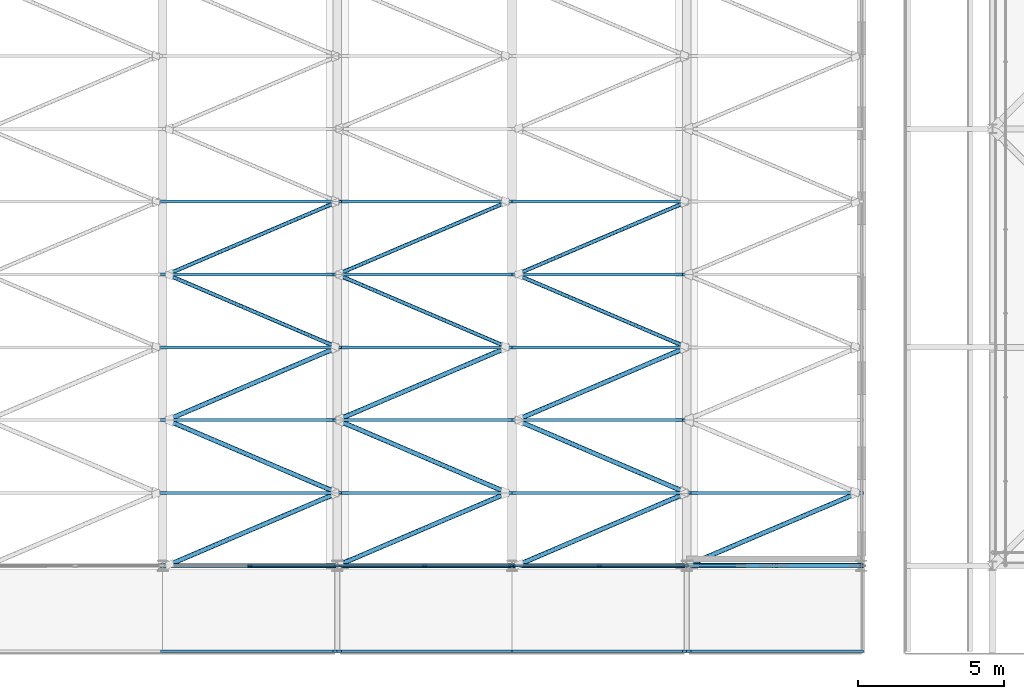
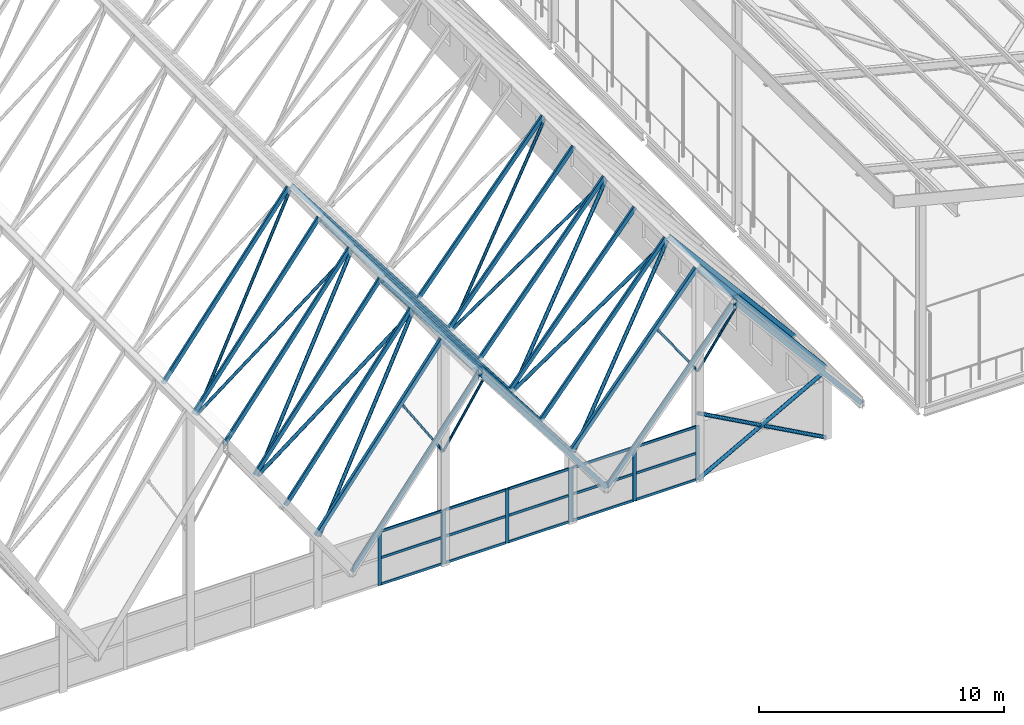
# One storey, part 25 of 483: 62 members, 8 beams, 3 elements without a shape of their own.
"""IFC4 building model written with IfcOpenShell, lengths in metres."""

from ifc_helpers import new_model, si_unit, direction, frame, origin, origin_2d, place, context, subcontext, project, spatial, rectangle, hollow_rectangle, hollow_circle, extrude, material, material_profile, profile_set, type_object, element, aggregate, save


model = new_model("IFC4")

# Units and contexts
model_context = context("Model", 3, precision=1e-05, world=origin(), true_north=direction((0.0, 1.0)))
body_context = subcontext(model_context, "Body", "Model", "MODEL_VIEW")
ifc_project = project(units=[si_unit("LENGTHUNIT", "METRE"), si_unit("AREAUNIT", "SQUARE_METRE"), si_unit("VOLUMEUNIT", "CUBIC_METRE"), si_unit("PLANEANGLEUNIT", "RADIAN"), si_unit("MASSUNIT", "GRAM", prefix="KILO")], contexts=[model_context])

# Site, building, storey
site_placement = place(None, origin())
site = spatial("IfcSite", under=ifc_project, at=site_placement, CompositionType="ELEMENT")
building_placement = place(site_placement, origin())
building = spatial("IfcBuilding", under=site, at=building_placement, Name="Parallax Yard Mobility Hub", CompositionType="ELEMENT")
storey_placement = place(building_placement, frame((0.0, 0.0, 13.199951171875)))
storey = spatial("IfcBuildingStorey", under=building, at=storey_placement, Name="L04", CompositionType="ELEMENT", Elevation=13.199951171875)

# Members
ifc_material_1 = material(Name="Steel ASTM A500 Gr C", Category="steel")
ifc_material_profile_1 = material_profile(ifc_material_1, hollow_circle(Radius=0.05712890625, WallThickness=0.006103515625, at=origin_2d()), Name="HSS114.3x6.0")
ifc_profile_set_1 = profile_set([ifc_material_profile_1], Name="Steel ASTM A500 Gr C")
member_type_1 = type_object("IfcMemberType", Name="Knee brace HSS114.3x6.0", PredefinedType="BRACE", material=ifc_profile_set_1)
for number, where, z_axis, x_axis, name in (
    (1, (75.0, 7.5, 5.60009765625), (-0.54067085938, 0.0, 0.841234225301), (0.0, -1.0, 0.0), "Gable knee brace F12 south west"),
    (2, (75.0, 7.5, 5.60009765625), (0.54067085938, 0.0, 0.841234225301), (0.0, 1.0, 0.0), "Gable knee brace F12 south east"),
):
    element("IfcMember", number, at=place(storey_placement, frame(where, z_axis=z_axis, x_axis=x_axis)), inside=storey, type_object=member_type_1, Name=name, PredefinedType="BRACE", context=body_context, shape_type="SweptSolid", body=[
        extrude(hollow_circle(Radius=0.05712890625, WallThickness=0.006103515625, at=origin_2d()), origin(), (0.0, 0.0, 1.0), 3.69921875),
    ])
for number, where, z_axis, x_axis, name in (
    (3, (87.0, 7.5, 5.400146484375), (-0.572308351996, 0.0, 0.820038505337), (0.0, -1.0, 0.0), "Gable knee brace F14 south west"),
    (4, (87.0, 7.5, 5.400146484375), (0.572308351996, 0.0, 0.820038505337), (0.0, 1.0, 0.0), "Gable knee brace F14 south east"),
):
    element("IfcMember", number, at=place(storey_placement, frame(where, z_axis=z_axis, x_axis=x_axis)), inside=storey, type_object=member_type_1, Name=name, PredefinedType="BRACE", context=body_context, shape_type="SweptSolid", body=[
        extrude(hollow_circle(Radius=0.05712890625, WallThickness=0.006103515625, at=origin_2d()), origin(), (0.0, 0.0, 1.0), 3.49462890625),
    ])

# Curtain wall, members
ifc_material_2 = material(Name="Thermally broken aluminium curtain wall system", Category="aluminium")
curtain_wall_type = type_object("IfcCurtainWallType", Name="Curtain wall run 60 x 160 frame", PredefinedType="NOTDEFINED", material=ifc_material_2)
curtain_wall_1_placement = place(storey_placement, origin())
curtain_wall_1 = element("IfcCurtainWall", 5, at=curtain_wall_1_placement, inside=storey, type_object=curtain_wall_type, Name="Glazed gable end Bus and taxi deck south gable bay 11 level L04", PredefinedType="NOTDEFINED")
ifc_material_3 = material(Name="Extruded aluminium", Category="aluminium")
ifc_material_profile_2 = material_profile(ifc_material_3, rectangle(XDim=0.06005859375, YDim=0.159912109375, at=origin_2d()), Name="Mullion 60 x 160")
ifc_profile_set_2 = profile_set([ifc_material_profile_2], Name="Extruded aluminium")
member_type_2 = type_object("IfcMemberType", Name="Mullion 60 x 160", PredefinedType="MULLION", material=ifc_profile_set_2)
member_1_placement = place(storey_placement, frame((72.0, 7.5, 0.0), z_axis=(0.0, 0.0, 1.0), x_axis=(0.0, 1.0, 0.0)))
member_1 = element("IfcMember", 6, at=member_1_placement, type_object=member_type_2, Name="CW1 mullion 2", PredefinedType="MULLION", context=body_context, shape_type="SweptSolid", body=[
    extrude(rectangle(XDim=0.06005859375, YDim=0.159912109375, at=origin_2d()), origin(), (0.0, 0.0, 1.0), 2.68994140625),
])
member_2_placement = place(storey_placement, frame((74.969970703125, 7.5, 0.0), z_axis=(0.0, 0.0, 1.0), x_axis=(0.0, 1.0, 0.0)))
member_2 = element("IfcMember", 7, at=member_2_placement, type_object=member_type_2, Name="CW1 mullion 3", PredefinedType="MULLION", context=body_context, shape_type="SweptSolid", body=[
    extrude(rectangle(XDim=0.06005859375, YDim=0.159912109375, at=origin_2d()), origin(), (0.0, 0.0, 1.0), 2.68994140625),
])

curtain_wall_2_placement = place(storey_placement, origin())
curtain_wall_2 = element("IfcCurtainWall", 8, at=curtain_wall_2_placement, inside=storey, type_object=curtain_wall_type, Name="Glazed gable end Bus and taxi deck south gable bay 12 level L04", PredefinedType="NOTDEFINED")
member_3_placement = place(storey_placement, frame((75.030029296875, 7.5, 0.0), z_axis=(0.0, 0.0, 1.0), x_axis=(0.0, 1.0, 0.0)))
member_3 = element("IfcMember", 9, at=member_3_placement, type_object=member_type_2, Name="CW1 mullion 1", PredefinedType="MULLION", context=body_context, shape_type="SweptSolid", body=[
    extrude(rectangle(XDim=0.06005859375, YDim=0.159912109375, at=origin_2d()), origin(), (0.0, 0.0, 1.0), 2.68994140625),
])
member_4_placement = place(storey_placement, frame((78.0, 7.5, 0.0), z_axis=(0.0, 0.0, 1.0), x_axis=(0.0, 1.0, 0.0)))
member_4 = element("IfcMember", 10, at=member_4_placement, type_object=member_type_2, Name="CW1 mullion 2", PredefinedType="MULLION", context=body_context, shape_type="SweptSolid", body=[
    extrude(rectangle(XDim=0.06005859375, YDim=0.159912109375, at=origin_2d()), origin(), (0.0, 0.0, 1.0), 2.68994140625),
])
member_5_placement = place(storey_placement, frame((80.969970703125, 7.5, 0.0), z_axis=(0.0, 0.0, 1.0), x_axis=(0.0, 1.0, 0.0)))
member_5 = element("IfcMember", 11, at=member_5_placement, type_object=member_type_2, Name="CW1 mullion 3", PredefinedType="MULLION", context=body_context, shape_type="SweptSolid", body=[
    extrude(rectangle(XDim=0.06005859375, YDim=0.159912109375, at=origin_2d()), origin(), (0.0, 0.0, 1.0), 2.68994140625),
])

curtain_wall_3_placement = place(storey_placement, origin())
curtain_wall_3 = element("IfcCurtainWall", 12, at=curtain_wall_3_placement, inside=storey, type_object=curtain_wall_type, Name="Glazed gable end Bus and taxi deck south gable bay 13 level L04", PredefinedType="NOTDEFINED")
member_6_placement = place(storey_placement, frame((81.030029296875, 7.5, 0.0), z_axis=(0.0, 0.0, 1.0), x_axis=(0.0, 1.0, 0.0)))
member_6 = element("IfcMember", 13, at=member_6_placement, type_object=member_type_2, Name="CW1 mullion 1", PredefinedType="MULLION", context=body_context, shape_type="SweptSolid", body=[
    extrude(rectangle(XDim=0.06005859375, YDim=0.159912109375, at=origin_2d()), origin(), (0.0, 0.0, 1.0), 2.68994140625),
])
member_7_placement = place(storey_placement, frame((84.0, 7.5, 0.0), z_axis=(0.0, 0.0, 1.0), x_axis=(0.0, 1.0, 0.0)))
member_7 = element("IfcMember", 14, at=member_7_placement, type_object=member_type_2, Name="CW1 mullion 2", PredefinedType="MULLION", context=body_context, shape_type="SweptSolid", body=[
    extrude(rectangle(XDim=0.06005859375, YDim=0.159912109375, at=origin_2d()), origin(), (0.0, 0.0, 1.0), 2.68994140625),
])
member_8_placement = place(storey_placement, frame((86.969970703125, 7.5, 0.0), z_axis=(0.0, 0.0, 1.0), x_axis=(0.0, 1.0, 0.0)))
member_8 = element("IfcMember", 15, at=member_8_placement, type_object=member_type_2, Name="CW1 mullion 3", PredefinedType="MULLION", context=body_context, shape_type="SweptSolid", body=[
    extrude(rectangle(XDim=0.06005859375, YDim=0.159912109375, at=origin_2d()), origin(), (0.0, 0.0, 1.0), 2.68994140625),
])

# Members
ifc_material_profile_3 = material_profile(ifc_material_1, hollow_circle(Radius=0.06982421875, WallThickness=0.00634765625, at=origin_2d()), Name="HSS139.7x6.4")
ifc_profile_set_3 = profile_set([ifc_material_profile_3], Name="Steel ASTM A500 Gr C")
member_type_3 = type_object("IfcMemberType", Name="Plate diagonal HSS139.7x6.4", PredefinedType="BRACE", material=ifc_profile_set_3)
for number, where, z_axis, x_axis, name in (
    (16, (75.0, 15.0, 11.039794921875), (-0.588700561603, 0.251682270826, -0.768171649647), (-0.393103707527, -0.919494140888, 0.0), "Plate diagonal plate F11-F12 bay 4"),
    (17, (80.84765625, 15.0, 3.409423828125), (-0.588700561603, 0.251682270826, 0.768171649647), (-0.393103707527, -0.919494140888, 0.0), "Plate diagonal plate F12-F13 bay 4"),
):
    element("IfcMember", number, at=place(storey_placement, frame(where, z_axis=z_axis, x_axis=x_axis)), inside=storey, type_object=member_type_3, Name=name, PredefinedType="BRACE", context=body_context, shape_type="SweptSolid", body=[
        extrude(hollow_circle(Radius=0.06982421875, WallThickness=0.00634765625, at=origin_2d()), origin(), (0.0, 0.0, 1.0), 9.93310546875),
    ])
member_9_placement = place(storey_placement, frame((87.0, 15.0, 10.385498046875), z_axis=(-0.619370499208, 0.264794334999, -0.739096844036), x_axis=(-0.393103707527, -0.919494140888, 0.0)))
element("IfcMember", 18, at=member_9_placement, inside=storey, type_object=member_type_3, Name="Plate diagonal plate F13-F14 bay 4", PredefinedType="BRACE", context=body_context, shape_type="SweptSolid", body=[
    extrude(hollow_circle(Radius=0.06982421875, WallThickness=0.00634765625, at=origin_2d()), origin(), (0.0, 0.0, 1.0), 9.44140625),
])
for number, where, z_axis, x_axis, name in (
    (19, (69.15234375, 17.5, 3.409423828125), (0.588700561603, 0.251682270826, 0.768171649647), (-0.393103707527, 0.919494140888, 0.0), "Plate diagonal plate F11-F12 bay 5"),
    (20, (75.0, 17.5, 11.039794921875), (0.588700561603, 0.251682270826, -0.768171649647), (-0.393103707527, 0.919494140888, 0.0), "Plate diagonal plate F12-F13 bay 5"),
):
    element("IfcMember", number, at=place(storey_placement, frame(where, z_axis=z_axis, x_axis=x_axis)), inside=storey, type_object=member_type_3, Name=name, PredefinedType="BRACE", context=body_context, shape_type="SweptSolid", body=[
        extrude(hollow_circle(Radius=0.06982421875, WallThickness=0.00634765625, at=origin_2d()), origin(), (0.0, 0.0, 1.0), 9.93310546875),
    ])
member_10_placement = place(storey_placement, frame((81.15234375, 17.5, 3.407470703125), z_axis=(0.619370499208, 0.264794334999, 0.739096844036), x_axis=(-0.393103707527, 0.919494140888, 0.0)))
element("IfcMember", 21, at=member_10_placement, inside=storey, type_object=member_type_3, Name="Plate diagonal plate F13-F14 bay 5", PredefinedType="BRACE", context=body_context, shape_type="SweptSolid", body=[
    extrude(hollow_circle(Radius=0.06982421875, WallThickness=0.00634765625, at=origin_2d()), origin(), (0.0, 0.0, 1.0), 9.44140625),
])
ifc_material_profile_4 = material_profile(ifc_material_1, hollow_circle(Radius=0.084228515625, WallThickness=0.007080078125, at=origin_2d()), Name="HSS168.3x7.1")
ifc_profile_set_4 = profile_set([ifc_material_profile_4], Name="Steel ASTM A500 Gr C")
member_type_4 = type_object("IfcMemberType", Name="Plate diagonal HSS168.3x7.1", PredefinedType="BRACE", material=ifc_profile_set_4)
for number, where, z_axis, x_axis, name in (
    (22, (69.15234375, 7.5, 3.409423828125), (0.588700561603, 0.251682270826, 0.768171649647), (-0.393103707527, 0.919494140888, 0.0), "Plate diagonal plate F11-F12 bay 1"),
    (23, (75.0, 7.5, 11.039794921875), (0.588700561603, 0.251682270826, -0.768171649647), (-0.393103707527, 0.919494140888, 0.0), "Plate diagonal plate F12-F13 bay 1"),
):
    element("IfcMember", number, at=place(storey_placement, frame(where, z_axis=z_axis, x_axis=x_axis)), inside=storey, type_object=member_type_4, Name=name, PredefinedType="BRACE", context=body_context, shape_type="SweptSolid", body=[
        extrude(hollow_circle(Radius=0.084228515625, WallThickness=0.007080078125, at=origin_2d()), origin(), (0.0, 0.0, 1.0), 9.93310546875),
    ])
member_11_placement = place(storey_placement, frame((81.15234375, 7.5, 3.407470703125), z_axis=(0.619370499208, 0.264794334999, 0.739096844036), x_axis=(-0.393103707527, 0.919494140888, 0.0)))
element("IfcMember", 24, at=member_11_placement, inside=storey, type_object=member_type_4, Name="Plate diagonal plate F13-F14 bay 1", PredefinedType="BRACE", context=body_context, shape_type="SweptSolid", body=[
    extrude(hollow_circle(Radius=0.084228515625, WallThickness=0.007080078125, at=origin_2d()), origin(), (0.0, 0.0, 1.0), 9.44140625),
])
member_12_placement = place(storey_placement, frame((87.0, 7.5, 10.385498046875), z_axis=(0.619547352021, 0.263724845556, -0.739330970838), x_axis=(-0.391665406317, 0.920107716246, 0.0)))
element("IfcMember", 25, at=member_12_placement, inside=storey, type_object=member_type_4, Name="Plate diagonal plate F14-F15 bay 1", PredefinedType="BRACE", context=body_context, shape_type="SweptSolid", body=[
    extrude(hollow_circle(Radius=0.084228515625, WallThickness=0.007080078125, at=origin_2d()), origin(), (0.0, 0.0, 1.0), 9.4794921875),
])
for number, where, z_axis, x_axis, name in (
    (26, (75.0, 10.0, 11.039794921875), (-0.588700561603, 0.251682270826, -0.768171649647), (-0.393103707527, -0.919494140888, 0.0), "Plate diagonal plate F11-F12 bay 2"),
    (27, (80.84765625, 10.0, 3.409423828125), (-0.588700561603, 0.251682270826, 0.768171649647), (-0.393103707527, -0.919494140888, 0.0), "Plate diagonal plate F12-F13 bay 2"),
):
    element("IfcMember", number, at=place(storey_placement, frame(where, z_axis=z_axis, x_axis=x_axis)), inside=storey, type_object=member_type_4, Name=name, PredefinedType="BRACE", context=body_context, shape_type="SweptSolid", body=[
        extrude(hollow_circle(Radius=0.084228515625, WallThickness=0.007080078125, at=origin_2d()), origin(), (0.0, 0.0, 1.0), 9.93310546875),
    ])
member_13_placement = place(storey_placement, frame((87.0, 10.0, 10.385498046875), z_axis=(-0.619370499208, 0.264794334999, -0.739096844036), x_axis=(-0.393103707527, -0.919494140888, 0.0)))
element("IfcMember", 28, at=member_13_placement, inside=storey, type_object=member_type_4, Name="Plate diagonal plate F13-F14 bay 2", PredefinedType="BRACE", context=body_context, shape_type="SweptSolid", body=[
    extrude(hollow_circle(Radius=0.084228515625, WallThickness=0.007080078125, at=origin_2d()), origin(), (0.0, 0.0, 1.0), 9.44140625),
])
for number, where, z_axis, x_axis, name in (
    (29, (69.15234375, 12.5, 3.409423828125), (0.588700561603, 0.251682270826, 0.768171649647), (-0.393103707527, 0.919494140888, 0.0), "Plate diagonal plate F11-F12 bay 3"),
    (30, (75.0, 12.5, 11.039794921875), (0.588700561603, 0.251682270826, -0.768171649647), (-0.393103707527, 0.919494140888, 0.0), "Plate diagonal plate F12-F13 bay 3"),
):
    element("IfcMember", number, at=place(storey_placement, frame(where, z_axis=z_axis, x_axis=x_axis)), inside=storey, type_object=member_type_4, Name=name, PredefinedType="BRACE", context=body_context, shape_type="SweptSolid", body=[
        extrude(hollow_circle(Radius=0.084228515625, WallThickness=0.007080078125, at=origin_2d()), origin(), (0.0, 0.0, 1.0), 9.93310546875),
    ])
member_14_placement = place(storey_placement, frame((81.15234375, 12.5, 3.407470703125), z_axis=(0.619370499208, 0.264794334999, 0.739096844036), x_axis=(-0.393103707527, 0.919494140888, 0.0)))
element("IfcMember", 31, at=member_14_placement, inside=storey, type_object=member_type_4, Name="Plate diagonal plate F13-F14 bay 3", PredefinedType="BRACE", context=body_context, shape_type="SweptSolid", body=[
    extrude(hollow_circle(Radius=0.084228515625, WallThickness=0.007080078125, at=origin_2d()), origin(), (0.0, 0.0, 1.0), 9.44140625),
])

# Beams
ifc_material_profile_5 = material_profile(ifc_material_1, hollow_rectangle(XDim=0.1015625, YDim=0.203125, WallThickness=0.00634765625, at=origin_2d()), Name="HSS203x102x6.4")
ifc_profile_set_5 = profile_set([ifc_material_profile_5], Name="Steel ASTM A500 Gr C")
beam_type_1 = type_object("IfcBeamType", Name="Roof edge beam HSS203x102x6.4", PredefinedType="SPANDREL", material=ifc_profile_set_5)
for number, where, z_axis, x_axis, name in (
    (32, (69.010498046875, 4.56005859375, 3.50634765625), (0.608287178019, 0.0, 0.793717020768), (0.0, 1.0, 0.0), "Edge beam plate F11-F12 south eave"),
    (33, (75.07177734375, 4.56005859375, 11.22802734375), (0.608287178019, 0.0, -0.793717020768), (0.0, 1.0, 0.0), "Edge beam plate F12-F13 south eave"),
):
    element("IfcBeam", number, at=place(storey_placement, frame(where, z_axis=z_axis, x_axis=x_axis)), inside=storey, type_object=beam_type_1, Name=name, PredefinedType="SPANDREL", context=body_context, shape_type="SweptSolid", body=[
        extrude(hollow_rectangle(XDim=0.1015625, YDim=0.203125, WallThickness=0.00634765625, at=origin_2d()), origin(), (0.0, 0.0, 1.0), 9.728515625),
    ])
for number, where, z_axis, x_axis, name in (
    (34, (81.0078125, 4.56005859375, 3.501953125), (0.642303597154, 0.0, 0.766450317426), (0.0, 1.0, 0.0), "Edge beam plate F13-F14 south eave"),
    (35, (87.074462890625, 4.56005859375, 10.5634765625), (0.642303597154, 0.0, -0.766450317426), (0.0, 1.0, 0.0), "Edge beam plate F14-F15 south eave"),
):
    element("IfcBeam", number, at=place(storey_placement, frame(where, z_axis=z_axis, x_axis=x_axis)), inside=storey, type_object=beam_type_1, Name=name, PredefinedType="SPANDREL", context=body_context, shape_type="SweptSolid", body=[
        extrude(hollow_rectangle(XDim=0.1015625, YDim=0.203125, WallThickness=0.00634765625, at=origin_2d()), origin(), (0.0, 0.0, 1.0), 9.21337890625),
    ])
ifc_material_profile_6 = material_profile(ifc_material_1, hollow_rectangle(XDim=0.15234375, YDim=0.203125, WallThickness=0.009521484375, at=origin_2d()), Name="HSS203x152x9.5")
ifc_profile_set_6 = profile_set([ifc_material_profile_6], Name="Steel ASTM A500 Gr C")
beam_type_2 = type_object("IfcBeamType", Name="Roof edge beam HSS203x152x9.5", PredefinedType="SPANDREL", material=ifc_profile_set_6)
for number, where, z_axis, x_axis, name in (
    (36, (69.010498046875, 7.5, 3.50634765625), (0.608287178019, 0.0, 0.793717020768), (0.0, 1.0, 0.0), "Edge beam plate F11-F12 south gable"),
    (37, (75.07177734375, 7.5, 11.22802734375), (0.608287178019, 0.0, -0.793717020768), (0.0, 1.0, 0.0), "Edge beam plate F12-F13 south gable"),
):
    element("IfcBeam", number, at=place(storey_placement, frame(where, z_axis=z_axis, x_axis=x_axis)), inside=storey, type_object=beam_type_2, Name=name, PredefinedType="SPANDREL", context=body_context, shape_type="SweptSolid", body=[
        extrude(hollow_rectangle(XDim=0.15234375, YDim=0.203125, WallThickness=0.009521484375, at=origin_2d()), origin(), (0.0, 0.0, 1.0), 9.728515625),
    ])
for number, where, z_axis, x_axis, name in (
    (38, (81.0078125, 7.5, 3.501953125), (0.642303597154, 0.0, 0.766450317426), (0.0, 1.0, 0.0), "Edge beam plate F13-F14 south gable"),
    (39, (87.074462890625, 7.5, 10.5634765625), (0.642303597154, 0.0, -0.766450317426), (0.0, 1.0, 0.0), "Edge beam plate F14-F15 south gable"),
):
    element("IfcBeam", number, at=place(storey_placement, frame(where, z_axis=z_axis, x_axis=x_axis)), inside=storey, type_object=beam_type_2, Name=name, PredefinedType="SPANDREL", context=body_context, shape_type="SweptSolid", body=[
        extrude(hollow_rectangle(XDim=0.15234375, YDim=0.203125, WallThickness=0.009521484375, at=origin_2d()), origin(), (0.0, 0.0, 1.0), 9.21337890625),
    ])

# Members
ifc_material_profile_7 = material_profile(ifc_material_1, hollow_rectangle(XDim=0.1015625, YDim=0.203125, WallThickness=0.00634765625, at=origin_2d()), Name="HSS203x102x6.4")
ifc_profile_set_7 = profile_set([ifc_material_profile_7], Name="Steel ASTM A500 Gr C")
member_type_5 = type_object("IfcMemberType", Name="Roof rafter HSS203x102x6.4", PredefinedType="RAFTER", material=ifc_profile_set_7)
for number, where, z_axis, x_axis, name in (
    (40, (69.010498046875, 10.0, 3.50634765625), (0.608287178019, 0.0, 0.793717020768), (0.0, 1.0, 0.0), "Roof rafter plate F11-F12 at y 10"),
    (41, (75.07177734375, 10.0, 11.22802734375), (0.608287178019, 0.0, -0.793717020768), (0.0, 1.0, 0.0), "Roof rafter plate F12-F13 at y 10"),
):
    element("IfcMember", number, at=place(storey_placement, frame(where, z_axis=z_axis, x_axis=x_axis)), inside=storey, type_object=member_type_5, Name=name, PredefinedType="RAFTER", context=body_context, shape_type="SweptSolid", body=[
        extrude(hollow_rectangle(XDim=0.1015625, YDim=0.203125, WallThickness=0.00634765625, at=origin_2d()), origin(), (0.0, 0.0, 1.0), 9.728515625),
    ])
for number, where, z_axis, x_axis, name in (
    (42, (81.0078125, 10.0, 3.501953125), (0.642303597154, 0.0, 0.766450317426), (0.0, 1.0, 0.0), "Roof rafter plate F13-F14 at y 10"),
    (43, (87.074462890625, 10.0, 10.5634765625), (0.642303597154, 0.0, -0.766450317426), (0.0, 1.0, 0.0), "Roof rafter plate F14-F15 at y 10"),
):
    element("IfcMember", number, at=place(storey_placement, frame(where, z_axis=z_axis, x_axis=x_axis)), inside=storey, type_object=member_type_5, Name=name, PredefinedType="RAFTER", context=body_context, shape_type="SweptSolid", body=[
        extrude(hollow_rectangle(XDim=0.1015625, YDim=0.203125, WallThickness=0.00634765625, at=origin_2d()), origin(), (0.0, 0.0, 1.0), 9.21337890625),
    ])
for number, where, z_axis, x_axis, name in (
    (44, (69.010498046875, 12.5, 3.50634765625), (0.608287178019, 0.0, 0.793717020768), (0.0, 1.0, 0.0), "Roof rafter plate F11-F12 at y 12.5"),
    (45, (75.07177734375, 12.5, 11.22802734375), (0.608287178019, 0.0, -0.793717020768), (0.0, 1.0, 0.0), "Roof rafter plate F12-F13 at y 12.5"),
):
    element("IfcMember", number, at=place(storey_placement, frame(where, z_axis=z_axis, x_axis=x_axis)), inside=storey, type_object=member_type_5, Name=name, PredefinedType="RAFTER", context=body_context, shape_type="SweptSolid", body=[
        extrude(hollow_rectangle(XDim=0.1015625, YDim=0.203125, WallThickness=0.00634765625, at=origin_2d()), origin(), (0.0, 0.0, 1.0), 9.728515625),
    ])
member_15_placement = place(storey_placement, frame((81.0078125, 12.5, 3.501953125), z_axis=(0.642303597154, 0.0, 0.766450317426), x_axis=(0.0, 1.0, 0.0)))
element("IfcMember", 46, at=member_15_placement, inside=storey, type_object=member_type_5, Name="Roof rafter plate F13-F14 at y 12.5", PredefinedType="RAFTER", context=body_context, shape_type="SweptSolid", body=[
    extrude(hollow_rectangle(XDim=0.1015625, YDim=0.203125, WallThickness=0.00634765625, at=origin_2d()), origin(), (0.0, 0.0, 1.0), 9.21337890625),
])
for number, where, z_axis, x_axis, name in (
    (47, (69.010498046875, 15.0, 3.50634765625), (0.608287178019, 0.0, 0.793717020768), (0.0, 1.0, 0.0), "Roof rafter plate F11-F12 at y 15"),
    (48, (75.07177734375, 15.0, 11.22802734375), (0.608287178019, 0.0, -0.793717020768), (0.0, 1.0, 0.0), "Roof rafter plate F12-F13 at y 15"),
):
    element("IfcMember", number, at=place(storey_placement, frame(where, z_axis=z_axis, x_axis=x_axis)), inside=storey, type_object=member_type_5, Name=name, PredefinedType="RAFTER", context=body_context, shape_type="SweptSolid", body=[
        extrude(hollow_rectangle(XDim=0.1015625, YDim=0.203125, WallThickness=0.00634765625, at=origin_2d()), origin(), (0.0, 0.0, 1.0), 9.728515625),
    ])
member_16_placement = place(storey_placement, frame((81.0078125, 15.0, 3.501953125), z_axis=(0.642303597154, 0.0, 0.766450317426), x_axis=(0.0, 1.0, 0.0)))
element("IfcMember", 49, at=member_16_placement, inside=storey, type_object=member_type_5, Name="Roof rafter plate F13-F14 at y 15", PredefinedType="RAFTER", context=body_context, shape_type="SweptSolid", body=[
    extrude(hollow_rectangle(XDim=0.1015625, YDim=0.203125, WallThickness=0.00634765625, at=origin_2d()), origin(), (0.0, 0.0, 1.0), 9.21337890625),
])
for number, where, z_axis, x_axis, name in (
    (50, (69.010498046875, 17.5, 3.50634765625), (0.608287178019, 0.0, 0.793717020768), (0.0, 1.0, 0.0), "Roof rafter plate F11-F12 at y 17.5"),
    (51, (75.07177734375, 17.5, 11.22802734375), (0.608287178019, 0.0, -0.793717020768), (0.0, 1.0, 0.0), "Roof rafter plate F12-F13 at y 17.5"),
):
    element("IfcMember", number, at=place(storey_placement, frame(where, z_axis=z_axis, x_axis=x_axis)), inside=storey, type_object=member_type_5, Name=name, PredefinedType="RAFTER", context=body_context, shape_type="SweptSolid", body=[
        extrude(hollow_rectangle(XDim=0.1015625, YDim=0.203125, WallThickness=0.00634765625, at=origin_2d()), origin(), (0.0, 0.0, 1.0), 9.728515625),
    ])
member_17_placement = place(storey_placement, frame((81.0078125, 17.5, 3.501953125), z_axis=(0.642303597154, 0.0, 0.766450317426), x_axis=(0.0, 1.0, 0.0)))
element("IfcMember", 52, at=member_17_placement, inside=storey, type_object=member_type_5, Name="Roof rafter plate F13-F14 at y 17.5", PredefinedType="RAFTER", context=body_context, shape_type="SweptSolid", body=[
    extrude(hollow_rectangle(XDim=0.1015625, YDim=0.203125, WallThickness=0.00634765625, at=origin_2d()), origin(), (0.0, 0.0, 1.0), 9.21337890625),
])
for number, where, z_axis, x_axis, name in (
    (53, (69.010498046875, 20.0, 3.50634765625), (0.608287178019, 0.0, 0.793717020768), (0.0, 1.0, 0.0), "Roof rafter plate F11-F12 at y 20"),
    (54, (75.07177734375, 20.0, 11.22802734375), (0.608287178019, 0.0, -0.793717020768), (0.0, 1.0, 0.0), "Roof rafter plate F12-F13 at y 20"),
):
    element("IfcMember", number, at=place(storey_placement, frame(where, z_axis=z_axis, x_axis=x_axis)), inside=storey, type_object=member_type_5, Name=name, PredefinedType="RAFTER", context=body_context, shape_type="SweptSolid", body=[
        extrude(hollow_rectangle(XDim=0.1015625, YDim=0.203125, WallThickness=0.00634765625, at=origin_2d()), origin(), (0.0, 0.0, 1.0), 9.728515625),
    ])
member_18_placement = place(storey_placement, frame((81.0078125, 20.0, 3.501953125), z_axis=(0.642303597154, 0.0, 0.766450317426), x_axis=(0.0, 1.0, 0.0)))
element("IfcMember", 55, at=member_18_placement, inside=storey, type_object=member_type_5, Name="Roof rafter plate F13-F14 at y 20", PredefinedType="RAFTER", context=body_context, shape_type="SweptSolid", body=[
    extrude(hollow_rectangle(XDim=0.1015625, YDim=0.203125, WallThickness=0.00634765625, at=origin_2d()), origin(), (0.0, 0.0, 1.0), 9.21337890625),
])

# Member
ifc_material_profile_8 = material_profile(ifc_material_3, rectangle(XDim=0.06005859375, YDim=0.1201171875, at=origin_2d()), Name="Transom 60 x 120")
ifc_profile_set_8 = profile_set([ifc_material_profile_8], Name="Extruded aluminium")
member_type_6 = type_object("IfcMemberType", Name="Transom 60 x 120", PredefinedType="USERDEFINED", material=ifc_profile_set_8)
member_19_placement = place(storey_placement, frame((72.030029296875, 7.5, 0.030029296875), z_axis=(1.0, 0.0, 0.0), x_axis=(0.0, 1.0, 0.0)))
member_19 = element("IfcMember", 56, at=member_19_placement, type_object=member_type_6, Name="CW1 transom 2.1", ObjectType="TRANSOM", PredefinedType="USERDEFINED", context=body_context, shape_type="SweptSolid", body=[
    extrude(rectangle(XDim=0.06005859375, YDim=0.1201171875, at=origin_2d()), origin(), (0.0, 0.0, 1.0), 2.909912109375),
])

member_20_placement = place(storey_placement, frame((72.030029296875, 7.5, 1.344970703125), z_axis=(1.0, 0.0, 0.0), x_axis=(0.0, 1.0, 0.0)))
member_20 = element("IfcMember", 57, at=member_20_placement, type_object=member_type_6, Name="CW1 transom 2.2", ObjectType="TRANSOM", PredefinedType="USERDEFINED", context=body_context, shape_type="SweptSolid", body=[
    extrude(rectangle(XDim=0.06005859375, YDim=0.1201171875, at=origin_2d()), origin(), (0.0, 0.0, 1.0), 2.909912109375),
])

member_21_placement = place(storey_placement, frame((72.030029296875, 7.5, 2.66015625), z_axis=(1.0, 0.0, 0.0), x_axis=(0.0, 1.0, 0.0)))
member_21 = element("IfcMember", 58, at=member_21_placement, type_object=member_type_6, Name="CW1 transom 2.3", ObjectType="TRANSOM", PredefinedType="USERDEFINED", context=body_context, shape_type="SweptSolid", body=[
    extrude(rectangle(XDim=0.06005859375, YDim=0.1201171875, at=origin_2d()), origin(), (0.0, 0.0, 1.0), 2.909912109375),
])

aggregate(curtain_wall_1, [member_1, member_2, member_19, member_20, member_21])

member_22_placement = place(storey_placement, frame((75.06005859375, 7.5, 0.030029296875), z_axis=(1.0, 0.0, 0.0), x_axis=(0.0, 1.0, 0.0)))
member_22 = element("IfcMember", 59, at=member_22_placement, type_object=member_type_6, Name="CW1 transom 1.1", ObjectType="TRANSOM", PredefinedType="USERDEFINED", context=body_context, shape_type="SweptSolid", body=[
    extrude(rectangle(XDim=0.06005859375, YDim=0.1201171875, at=origin_2d()), origin(), (0.0, 0.0, 1.0), 2.909912109375),
])

member_23_placement = place(storey_placement, frame((75.06005859375, 7.5, 1.344970703125), z_axis=(1.0, 0.0, 0.0), x_axis=(0.0, 1.0, 0.0)))
member_23 = element("IfcMember", 60, at=member_23_placement, type_object=member_type_6, Name="CW1 transom 1.2", ObjectType="TRANSOM", PredefinedType="USERDEFINED", context=body_context, shape_type="SweptSolid", body=[
    extrude(rectangle(XDim=0.06005859375, YDim=0.1201171875, at=origin_2d()), origin(), (0.0, 0.0, 1.0), 2.909912109375),
])

member_24_placement = place(storey_placement, frame((75.06005859375, 7.5, 2.66015625), z_axis=(1.0, 0.0, 0.0), x_axis=(0.0, 1.0, 0.0)))
member_24 = element("IfcMember", 61, at=member_24_placement, type_object=member_type_6, Name="CW1 transom 1.3", ObjectType="TRANSOM", PredefinedType="USERDEFINED", context=body_context, shape_type="SweptSolid", body=[
    extrude(rectangle(XDim=0.06005859375, YDim=0.1201171875, at=origin_2d()), origin(), (0.0, 0.0, 1.0), 2.909912109375),
])

member_25_placement = place(storey_placement, frame((78.030029296875, 7.5, 0.030029296875), z_axis=(1.0, 0.0, 0.0), x_axis=(0.0, 1.0, 0.0)))
member_25 = element("IfcMember", 62, at=member_25_placement, type_object=member_type_6, Name="CW1 transom 2.1", ObjectType="TRANSOM", PredefinedType="USERDEFINED", context=body_context, shape_type="SweptSolid", body=[
    extrude(rectangle(XDim=0.06005859375, YDim=0.1201171875, at=origin_2d()), origin(), (0.0, 0.0, 1.0), 2.909912109375),
])

member_26_placement = place(storey_placement, frame((78.030029296875, 7.5, 1.344970703125), z_axis=(1.0, 0.0, 0.0), x_axis=(0.0, 1.0, 0.0)))
member_26 = element("IfcMember", 63, at=member_26_placement, type_object=member_type_6, Name="CW1 transom 2.2", ObjectType="TRANSOM", PredefinedType="USERDEFINED", context=body_context, shape_type="SweptSolid", body=[
    extrude(rectangle(XDim=0.06005859375, YDim=0.1201171875, at=origin_2d()), origin(), (0.0, 0.0, 1.0), 2.909912109375),
])

member_27_placement = place(storey_placement, frame((78.030029296875, 7.5, 2.66015625), z_axis=(1.0, 0.0, 0.0), x_axis=(0.0, 1.0, 0.0)))
member_27 = element("IfcMember", 64, at=member_27_placement, type_object=member_type_6, Name="CW1 transom 2.3", ObjectType="TRANSOM", PredefinedType="USERDEFINED", context=body_context, shape_type="SweptSolid", body=[
    extrude(rectangle(XDim=0.06005859375, YDim=0.1201171875, at=origin_2d()), origin(), (0.0, 0.0, 1.0), 2.909912109375),
])

aggregate(curtain_wall_2, [member_3, member_4, member_5, member_22, member_23, member_24, member_25, member_26, member_27])

member_28_placement = place(storey_placement, frame((81.06005859375, 7.5, 0.030029296875), z_axis=(1.0, 0.0, 0.0), x_axis=(0.0, 1.0, 0.0)))
member_28 = element("IfcMember", 65, at=member_28_placement, type_object=member_type_6, Name="CW1 transom 1.1", ObjectType="TRANSOM", PredefinedType="USERDEFINED", context=body_context, shape_type="SweptSolid", body=[
    extrude(rectangle(XDim=0.06005859375, YDim=0.1201171875, at=origin_2d()), origin(), (0.0, 0.0, 1.0), 2.909912109375),
])

member_29_placement = place(storey_placement, frame((81.06005859375, 7.5, 1.344970703125), z_axis=(1.0, 0.0, 0.0), x_axis=(0.0, 1.0, 0.0)))
member_29 = element("IfcMember", 66, at=member_29_placement, type_object=member_type_6, Name="CW1 transom 1.2", ObjectType="TRANSOM", PredefinedType="USERDEFINED", context=body_context, shape_type="SweptSolid", body=[
    extrude(rectangle(XDim=0.06005859375, YDim=0.1201171875, at=origin_2d()), origin(), (0.0, 0.0, 1.0), 2.909912109375),
])

member_30_placement = place(storey_placement, frame((81.06005859375, 7.5, 2.66015625), z_axis=(1.0, 0.0, 0.0), x_axis=(0.0, 1.0, 0.0)))
member_30 = element("IfcMember", 67, at=member_30_placement, type_object=member_type_6, Name="CW1 transom 1.3", ObjectType="TRANSOM", PredefinedType="USERDEFINED", context=body_context, shape_type="SweptSolid", body=[
    extrude(rectangle(XDim=0.06005859375, YDim=0.1201171875, at=origin_2d()), origin(), (0.0, 0.0, 1.0), 2.909912109375),
])

member_31_placement = place(storey_placement, frame((84.030029296875, 7.5, 0.030029296875), z_axis=(1.0, 0.0, 0.0), x_axis=(0.0, 1.0, 0.0)))
member_31 = element("IfcMember", 68, at=member_31_placement, type_object=member_type_6, Name="CW1 transom 2.1", ObjectType="TRANSOM", PredefinedType="USERDEFINED", context=body_context, shape_type="SweptSolid", body=[
    extrude(rectangle(XDim=0.06005859375, YDim=0.1201171875, at=origin_2d()), origin(), (0.0, 0.0, 1.0), 2.909912109375),
])

member_32_placement = place(storey_placement, frame((84.030029296875, 7.5, 1.344970703125), z_axis=(1.0, 0.0, 0.0), x_axis=(0.0, 1.0, 0.0)))
member_32 = element("IfcMember", 69, at=member_32_placement, type_object=member_type_6, Name="CW1 transom 2.2", ObjectType="TRANSOM", PredefinedType="USERDEFINED", context=body_context, shape_type="SweptSolid", body=[
    extrude(rectangle(XDim=0.06005859375, YDim=0.1201171875, at=origin_2d()), origin(), (0.0, 0.0, 1.0), 2.909912109375),
])

member_33_placement = place(storey_placement, frame((84.030029296875, 7.5, 2.66015625), z_axis=(1.0, 0.0, 0.0), x_axis=(0.0, 1.0, 0.0)))
member_33 = element("IfcMember", 70, at=member_33_placement, type_object=member_type_6, Name="CW1 transom 2.3", ObjectType="TRANSOM", PredefinedType="USERDEFINED", context=body_context, shape_type="SweptSolid", body=[
    extrude(rectangle(XDim=0.06005859375, YDim=0.1201171875, at=origin_2d()), origin(), (0.0, 0.0, 1.0), 2.909912109375),
])

aggregate(curtain_wall_3, [member_6, member_7, member_8, member_28, member_29, member_30, member_31, member_32, member_33])

# Members
ifc_material_profile_9 = material_profile(ifc_material_1, hollow_circle(Radius=0.0888671875, WallThickness=0.0078125, at=origin_2d()), Name="HSS177.8x7.9")
ifc_profile_set_9 = profile_set([ifc_material_profile_9], Name="Steel ASTM A500 Gr C")
member_type_7 = type_object("IfcMemberType", Name="Wall brace HSS177.8x7.9", PredefinedType="BRACE", material=ifc_profile_set_9)
member_34_placement = place(storey_placement, frame((87.0, 7.5, 0.0), z_axis=(0.876212897641, 0.0, 0.481924224341), x_axis=(0.0, 1.0, 0.0)))
element("IfcMember", 71, at=member_34_placement, inside=storey, type_object=member_type_7, Name="X brace east end bay south face level 4 1", PredefinedType="BRACE", context=body_context, shape_type="SweptSolid", body=[
    extrude(hollow_circle(Radius=0.0888671875, WallThickness=0.0078125, at=origin_2d()), origin(), (0.0, 0.0, 1.0), 6.84765625),
])
for number, where, z_axis, x_axis, name in (
    (72, (93.0, 7.5, 0.0), (-0.876220551786, 0.0, 0.481910307659), (0.0, -1.0, 0.0), "X brace east end bay south face level 4 2 (half 1)"),
    (73, (89.918212890625, 7.5, 1.695068359375), (-0.876220551786, 0.0, 0.481910307659), (0.0, -1.0, 0.0), "X brace east end bay south face level 4 2 (half 2)"),
):
    element("IfcMember", number, at=place(storey_placement, frame(where, z_axis=z_axis, x_axis=x_axis)), inside=storey, type_object=member_type_7, Name=name, PredefinedType="BRACE", context=body_context, shape_type="SweptSolid", body=[
        extrude(hollow_circle(Radius=0.0888671875, WallThickness=0.0078125, at=origin_2d()), origin(), (0.0, 0.0, 1.0), 3.33056640625),
    ])

save(model, "model.ifc")
